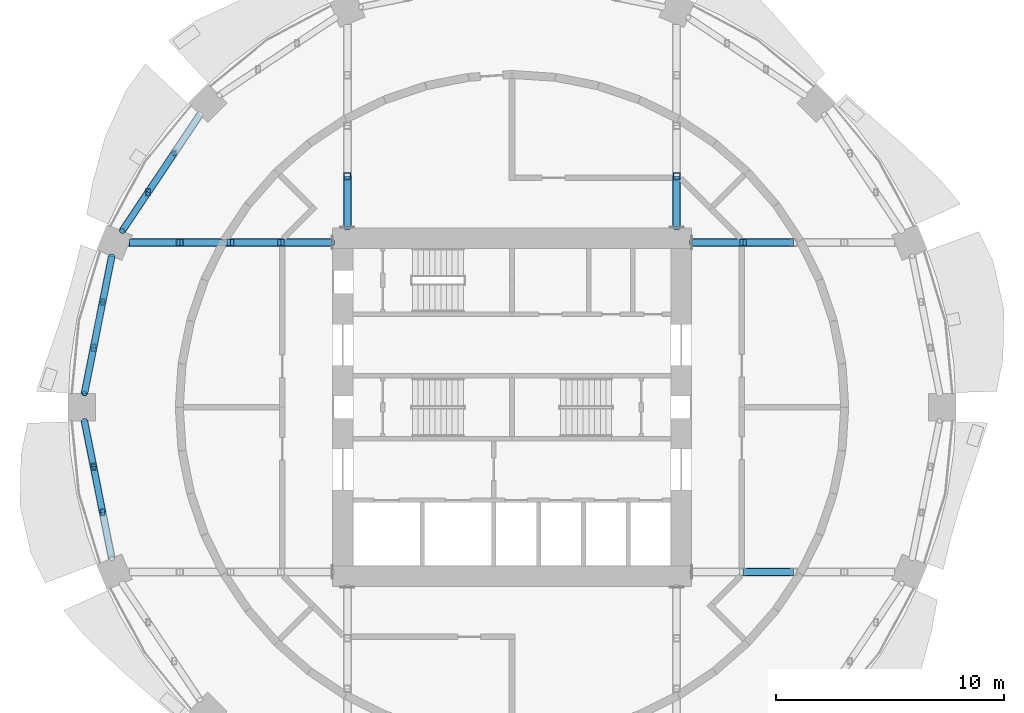
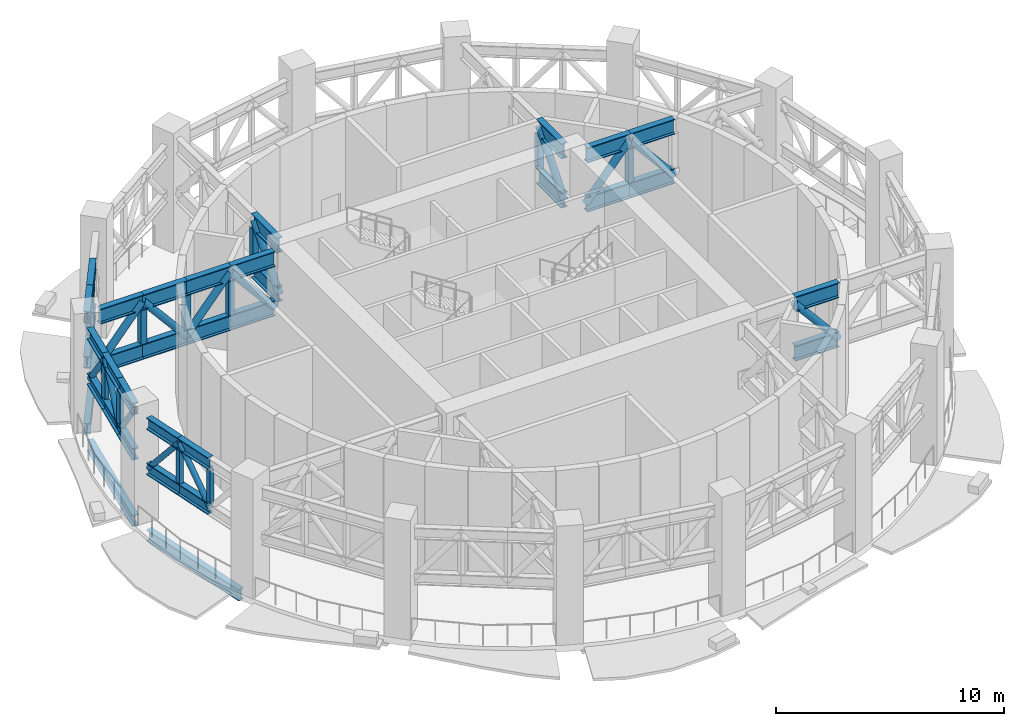
# One storey, part 3 of 14: 59 members, 3 beams.
"""IFC4 building model written with IfcOpenShell, lengths in metres."""

from ifc_helpers import new_model, si_unit, direction, frame, origin, origin_2d, place, context, subcontext, project, spatial, hollow_rectangle, hollow_circle, i_section, extrude, material, material_profile, profile_set, type_object, element, save


model = new_model("IFC4")

# Units and contexts
model_context = context("Model", 3, precision=1e-05, world=origin(), true_north=direction((0.0, 1.0)))
body_context = subcontext(model_context, "Body", "Model", "MODEL_VIEW")
ifc_project = project(units=[si_unit("LENGTHUNIT", "METRE"), si_unit("AREAUNIT", "SQUARE_METRE"), si_unit("VOLUMEUNIT", "CUBIC_METRE"), si_unit("PLANEANGLEUNIT", "RADIAN"), si_unit("MASSUNIT", "GRAM", prefix="KILO")], contexts=[model_context])

# Site, building, storey
site_placement = place(None, origin())
site = spatial("IfcSite", under=ifc_project, at=site_placement, CompositionType="ELEMENT")
building_placement = place(site_placement, origin())
building = spatial("IfcBuilding", under=site, at=building_placement, Name="Polderwave Tower", CompositionType="ELEMENT")
storey_placement = place(building_placement, frame((0.0, 0.0, 66.35009765625)))
storey = spatial("IfcBuildingStorey", under=building, at=storey_placement, Name="L17", CompositionType="ELEMENT", Elevation=66.35009765625)

# Members
ifc_material_1 = material(Name="Steel S460", Category="steel")
ifc_material_profile_1 = material_profile(ifc_material_1, i_section(OverallWidth=0.304931640625, OverallDepth=0.6201171875, WebThickness=0.02099609375, FlangeThickness=0.0400390625, at=origin_2d()), Name="HE 600 M")
ifc_profile_set_1 = profile_set([ifc_material_profile_1], Name="Steel S460")
member_type_1 = type_object("IfcMemberType", Name="BELT CHORD HE 600 M", PredefinedType="CHORD", material=ifc_profile_set_1)
for number, where, z_axis, x_axis, name in (
    (1, (-14.82763671875, 11.138916015625, 5.33984375), (-0.555580303473, -0.831462883352, 0.0), (0.831462883352, -0.555580303473, 0.0), "ST-BT-L17-06-TC2"),
    (2, (-14.82763671875, 11.138916015625, 2.909912109375), (-0.555580303473, -0.831462883352, 0.0), (0.831462883352, -0.555580303473, 0.0), "ST-BT-L17-06-BC2"),
    (3, (-15.96533203125, 9.436279296875, 5.33984375), (-0.555580303473, -0.831462883352, 0.0), (0.831462883352, -0.555580303473, 0.0), "ST-BT-L17-06-TC3"),
    (4, (-15.96533203125, 9.436279296875, 2.909912109375), (-0.555580303473, -0.831462883352, 0.0), (0.831462883352, -0.555580303473, 0.0), "ST-BT-L17-06-BC3"),
):
    element("IfcMember", number, at=place(storey_placement, frame(where, z_axis=z_axis, x_axis=x_axis)), inside=storey, type_object=member_type_1, Name=name, PredefinedType="CHORD", context=body_context, shape_type="SweptSolid", body=[
        extrude(i_section(OverallWidth=0.304931640625, OverallDepth=0.6201171875, WebThickness=0.02099609375, FlangeThickness=0.0400390625, at=origin_2d()), origin(), (0.0, 0.0, 1.0), 2.0478515625),
    ])
for number, where, z_axis, x_axis, name in (
    (5, (-17.562255859375, 6.625, 5.33984375), (-0.195061289308, -0.980791054921, 0.0), (0.980791054921, -0.195061289308, 0.0), "ST-BT-L17-07-TC1"),
    (6, (-17.562255859375, 6.625, 2.909912109375), (-0.195061289308, -0.980791054921, 0.0), (0.980791054921, -0.195061289308, 0.0), "ST-BT-L17-07-BC1"),
    (7, (-17.961669921875, 4.61669921875, 5.33984375), (-0.195061289308, -0.980791054921, 0.0), (0.980791054921, -0.195061289308, 0.0), "ST-BT-L17-07-TC2"),
    (8, (-17.961669921875, 4.61669921875, 2.909912109375), (-0.195061289308, -0.980791054921, 0.0), (0.980791054921, -0.195061289308, 0.0), "ST-BT-L17-07-BC2"),
    (9, (-18.361083984375, 2.6083984375, 5.33984375), (-0.195175979329, -0.980768238216, 0.0), (0.980768238216, -0.195175979329, 0.0), "ST-BT-L17-07-TC3"),
    (10, (-18.361083984375, 2.6083984375, 2.909912109375), (-0.195175979329, -0.980768238216, 0.0), (0.980768238216, -0.195175979329, 0.0), "ST-BT-L17-07-BC3"),
    (11, (-18.7607421875, -0.60009765625, 5.33984375), (0.195175979329, -0.980768238216, 0.0), (0.980768238216, 0.195175979329, 0.0), "ST-BT-L17-08-TC1"),
    (12, (-18.7607421875, -0.60009765625, 2.909912109375), (0.195175979329, -0.980768238216, 0.0), (0.980768238216, 0.195175979329, 0.0), "ST-BT-L17-08-BC1"),
    (13, (-18.361083984375, -2.6083984375, 5.33984375), (0.195061289308, -0.980791054921, 0.0), (0.980791054921, 0.195061289308, 0.0), "ST-BT-L17-08-TC2"),
    (14, (-18.361083984375, -2.6083984375, 2.909912109375), (0.195061289308, -0.980791054921, 0.0), (0.980791054921, 0.195061289308, 0.0), "ST-BT-L17-08-BC2"),
):
    element("IfcMember", number, at=place(storey_placement, frame(where, z_axis=z_axis, x_axis=x_axis)), inside=storey, type_object=member_type_1, Name=name, PredefinedType="CHORD", context=body_context, shape_type="SweptSolid", body=[
        extrude(i_section(OverallWidth=0.304931640625, OverallDepth=0.6201171875, WebThickness=0.02099609375, FlangeThickness=0.0400390625, at=origin_2d()), origin(), (0.0, 0.0, 1.0), 2.047607421875),
    ])
ifc_material_profile_2 = material_profile(ifc_material_1, hollow_circle(Radius=0.136474609375, WallThickness=0.012451171875, at=origin_2d()), Name="CHS 273x12.5")
ifc_profile_set_2 = profile_set([ifc_material_profile_2], Name="Steel S460")
member_type_2 = type_object("IfcMemberType", Name="BELT DIAGONAL CHS 273x12.5", PredefinedType="BRACE", material=ifc_profile_set_2)
for number, where, z_axis, x_axis, name in (
    (15, (-14.82763671875, 11.138916015625, 5.33984375), (-0.358022768665, -0.535804890273, -0.764678243889), (0.831462883352, -0.555580303473, 0.0), "ST-BT-L17-06-D2"),
    (16, (-15.96533203125, 9.436279296875, 2.909912109375), (-0.358022768665, -0.535804890273, 0.764678243889), (0.831462883352, -0.555580303473, 0.0), "ST-BT-L17-06-D3"),
    (17, (-17.562255859375, 6.625, 2.909912109375), (-0.125695342598, -0.632010934113, 0.764697888065), (0.980791054921, -0.195061289308, 0.0), "ST-BT-L17-07-D1"),
    (18, (-17.961669921875, 4.61669921875, 5.33984375), (-0.125695342598, -0.632010934113, -0.764697888065), (0.980791054921, -0.195061289308, 0.0), "ST-BT-L17-07-D2"),
    (19, (-18.361083984375, 2.6083984375, 2.909912109375), (-0.12577095852, -0.632004828826, 0.764690501009), (0.980768238216, -0.195175979329, 0.0), "ST-BT-L17-07-D3"),
    (20, (-18.7607421875, -0.60009765625, 2.909912109375), (0.12577095852, -0.632004828826, 0.764690501009), (0.980768238216, 0.195175979329, 0.0), "ST-BT-L17-08-D1"),
    (21, (-18.361083984375, -2.6083984375, 5.33984375), (0.125695342598, -0.632010934113, -0.764697888065), (0.980791054921, 0.195061289308, 0.0), "ST-BT-L17-08-D2"),
):
    element("IfcMember", number, at=place(storey_placement, frame(where, z_axis=z_axis, x_axis=x_axis)), inside=storey, type_object=member_type_2, Name=name, PredefinedType="BRACE", context=body_context, shape_type="SweptSolid", body=[
        extrude(hollow_circle(Radius=0.136474609375, WallThickness=0.012451171875, at=origin_2d()), origin(), (0.0, 0.0, 1.0), 3.177734375),
    ])
ifc_material_profile_3 = material_profile(ifc_material_1, hollow_rectangle(XDim=0.199951171875, YDim=0.300048828125, WallThickness=0.012451171875, at=origin_2d()), Name="RHS 300x200x12.5")
ifc_profile_set_3 = profile_set([ifc_material_profile_3], Name="Steel S460")
member_type_3 = type_object("IfcMemberType", Name="BELT POST RHS 300x200x12.5", PredefinedType="POST", material=ifc_profile_set_3)
for number, where, z_axis, x_axis, name in (
    (22, (-15.96533203125, 9.436279296875, 3.219970703125), (0.0, 0.0, 1.0), (1.0, 0.0, 0.0), "ST-BT-L17-06-P2"),
    (23, (-17.961669921875, 4.61669921875, 3.219970703125), (0.0, 0.0, 1.0), (1.0, 0.0, 0.0), "ST-BT-L17-07-P1"),
    (24, (-18.361083984375, 2.6083984375, 3.219970703125), (0.0, 0.0, 1.0), (1.0, 0.0, 0.0), "ST-BT-L17-07-P2"),
    (25, (-18.361083984375, -2.6083984375, 3.219970703125), (0.0, 0.0, 1.0), (1.0, 0.0, 0.0), "ST-BT-L17-08-P1"),
    (26, (-17.961669921875, -4.61669921875, 3.219970703125), (0.0, 0.0, 1.0), (1.0, 0.0, 0.0), "ST-BT-L17-08-P2"),
):
    element("IfcMember", number, at=place(storey_placement, frame(where, z_axis=z_axis, x_axis=x_axis)), inside=storey, type_object=member_type_3, Name=name, PredefinedType="POST", context=body_context, shape_type="SweptSolid", body=[
        extrude(hollow_rectangle(XDim=0.199951171875, YDim=0.300048828125, WallThickness=0.012451171875, at=origin_2d()), origin(), (0.0, 0.0, 1.0), 1.809814453125),
    ])
ifc_material_profile_4 = material_profile(ifc_material_1, i_section(OverallWidth=0.302978515625, OverallDepth=0.81396484375, WebThickness=0.02099609375, FlangeThickness=0.0400390625, at=origin_2d()), Name="HE 800 M")
ifc_profile_set_4 = profile_set([ifc_material_profile_4], Name="Steel S460")
member_type_4 = type_object("IfcMemberType", Name="OUTRIGGER CHORD HE 800 M", PredefinedType="CHORD", material=ifc_profile_set_4)
for number, where, z_axis, x_axis, name in (
    (27, (7.9140625, 7.22509765625, 5.642822265625), (1.0, 0.0, 0.0), (0.0, 1.0, 0.0), "ST-OR-L17-01-TC1"),
    (28, (7.9140625, 7.22509765625, 3.0068359375), (1.0, 0.0, 0.0), (0.0, 1.0, 0.0), "ST-OR-L17-01-BC1"),
):
    element("IfcMember", number, at=place(storey_placement, frame(where, z_axis=z_axis, x_axis=x_axis)), inside=storey, type_object=member_type_4, Name=name, PredefinedType="CHORD", context=body_context, shape_type="SweptSolid", body=[
        extrude(i_section(OverallWidth=0.302978515625, OverallDepth=0.81396484375, WebThickness=0.02099609375, FlangeThickness=0.0400390625, at=origin_2d()), origin(), (0.0, 0.0, 1.0), 2.2197265625),
    ])
for number, where, z_axis, x_axis, name in (
    (29, (10.1337890625, 7.22509765625, 5.642822265625), (1.0, 0.0, 0.0), (0.0, 1.0, 0.0), "ST-OR-L17-01-TC2"),
    (30, (10.1337890625, 7.22509765625, 3.0068359375), (1.0, 0.0, 0.0), (0.0, 1.0, 0.0), "ST-OR-L17-01-BC2"),
):
    element("IfcMember", number, at=place(storey_placement, frame(where, z_axis=z_axis, x_axis=x_axis)), inside=storey, type_object=member_type_4, Name=name, PredefinedType="CHORD", context=body_context, shape_type="SweptSolid", body=[
        extrude(i_section(OverallWidth=0.302978515625, OverallDepth=0.81396484375, WebThickness=0.02099609375, FlangeThickness=0.0400390625, at=origin_2d()), origin(), (0.0, 0.0, 1.0), 2.219970703125),
    ])
for number, where, z_axis, x_axis, name in (
    (31, (7.22509765625, 7.9140625, 5.642822265625), (0.0, 1.0, 0.0), (-1.0, 0.0, 0.0), "ST-OR-L17-03-TC1"),
    (32, (7.22509765625, 7.9140625, 3.0068359375), (0.0, 1.0, 0.0), (-1.0, 0.0, 0.0), "ST-OR-L17-03-BC1"),
    (33, (-7.22509765625, 7.9140625, 5.642822265625), (0.0, 1.0, 0.0), (-1.0, 0.0, 0.0), "ST-OR-L17-05-TC1"),
    (34, (-7.22509765625, 7.9140625, 3.0068359375), (0.0, 1.0, 0.0), (-1.0, 0.0, 0.0), "ST-OR-L17-05-BC1"),
    (35, (-7.9140625, 7.22509765625, 5.642822265625), (-1.0, 0.0, 0.0), (0.0, -1.0, 0.0), "ST-OR-L17-07-TC1"),
    (36, (-7.9140625, 7.22509765625, 3.0068359375), (-1.0, 0.0, 0.0), (0.0, -1.0, 0.0), "ST-OR-L17-07-BC1"),
):
    element("IfcMember", number, at=place(storey_placement, frame(where, z_axis=z_axis, x_axis=x_axis)), inside=storey, type_object=member_type_4, Name=name, PredefinedType="CHORD", context=body_context, shape_type="SweptSolid", body=[
        extrude(i_section(OverallWidth=0.302978515625, OverallDepth=0.81396484375, WebThickness=0.02099609375, FlangeThickness=0.0400390625, at=origin_2d()), origin(), (0.0, 0.0, 1.0), 2.2197265625),
    ])
for number, where, z_axis, x_axis, name in (
    (37, (-10.1337890625, 7.22509765625, 5.642822265625), (-1.0, 0.0, 0.0), (0.0, -1.0, 0.0), "ST-OR-L17-07-TC2"),
    (38, (-10.1337890625, 7.22509765625, 3.0068359375), (-1.0, 0.0, 0.0), (0.0, -1.0, 0.0), "ST-OR-L17-07-BC2"),
):
    element("IfcMember", number, at=place(storey_placement, frame(where, z_axis=z_axis, x_axis=x_axis)), inside=storey, type_object=member_type_4, Name=name, PredefinedType="CHORD", context=body_context, shape_type="SweptSolid", body=[
        extrude(i_section(OverallWidth=0.302978515625, OverallDepth=0.81396484375, WebThickness=0.02099609375, FlangeThickness=0.0400390625, at=origin_2d()), origin(), (0.0, 0.0, 1.0), 2.219970703125),
    ])
for number, where, z_axis, x_axis, name in (
    (39, (-12.353759765625, 7.22509765625, 5.642822265625), (-1.0, 0.0, 0.0), (0.0, -1.0, 0.0), "ST-OR-L17-07-TC3"),
    (40, (-12.353759765625, 7.22509765625, 3.0068359375), (-1.0, 0.0, 0.0), (0.0, -1.0, 0.0), "ST-OR-L17-07-BC3"),
):
    element("IfcMember", number, at=place(storey_placement, frame(where, z_axis=z_axis, x_axis=x_axis)), inside=storey, type_object=member_type_4, Name=name, PredefinedType="CHORD", context=body_context, shape_type="SweptSolid", body=[
        extrude(i_section(OverallWidth=0.302978515625, OverallDepth=0.81396484375, WebThickness=0.02099609375, FlangeThickness=0.0400390625, at=origin_2d()), origin(), (0.0, 0.0, 1.0), 2.2197265625),
    ])
for number, where, z_axis, x_axis, name in (
    (41, (-14.573486328125, 7.22509765625, 5.642822265625), (-1.0, 0.0, 0.0), (0.0, -1.0, 0.0), "ST-OR-L17-07-TC4"),
    (42, (-14.573486328125, 7.22509765625, 3.0068359375), (-1.0, 0.0, 0.0), (0.0, -1.0, 0.0), "ST-OR-L17-07-BC4"),
    (43, (10.1337890625, -7.22509765625, 5.642822265625), (1.0, 0.0, 0.0), (0.0, 1.0, 0.0), "ST-OR-L17-15-TC2"),
    (44, (10.1337890625, -7.22509765625, 3.0068359375), (1.0, 0.0, 0.0), (0.0, 1.0, 0.0), "ST-OR-L17-15-BC2"),
):
    element("IfcMember", number, at=place(storey_placement, frame(where, z_axis=z_axis, x_axis=x_axis)), inside=storey, type_object=member_type_4, Name=name, PredefinedType="CHORD", context=body_context, shape_type="SweptSolid", body=[
        extrude(i_section(OverallWidth=0.302978515625, OverallDepth=0.81396484375, WebThickness=0.02099609375, FlangeThickness=0.0400390625, at=origin_2d()), origin(), (0.0, 0.0, 1.0), 2.219970703125),
    ])
ifc_material_profile_5 = material_profile(ifc_material_1, hollow_circle(Radius=0.177734375, WallThickness=0.012451171875, at=origin_2d()), Name="CHS 355.6x12.5")
ifc_profile_set_5 = profile_set([ifc_material_profile_5], Name="Steel S460")
member_type_5 = type_object("IfcMemberType", Name="OUTRIGGER DIAGONAL CHS 355.6x12.5", PredefinedType="BRACE", material=ifc_profile_set_5)
member_1_placement = place(storey_placement, frame((7.9140625, 7.22509765625, 3.0068359375), z_axis=(0.644127019232, 0.0, 0.764918546706), x_axis=(0.0, 1.0, 0.0)))
element("IfcMember", 45, at=member_1_placement, inside=storey, type_object=member_type_5, Name="ST-OR-L17-01-D1", PredefinedType="BRACE", context=body_context, shape_type="SweptSolid", body=[
    extrude(hollow_circle(Radius=0.177734375, WallThickness=0.012451171875, at=origin_2d()), origin(), (0.0, 0.0, 1.0), 3.446044921875),
])
member_2_placement = place(storey_placement, frame((10.1337890625, 7.22509765625, 5.642822265625), z_axis=(0.644168468107, 0.0, -0.764883641279), x_axis=(0.0, 1.0, 0.0)))
element("IfcMember", 46, at=member_2_placement, inside=storey, type_object=member_type_5, Name="ST-OR-L17-01-D2", PredefinedType="BRACE", context=body_context, shape_type="SweptSolid", body=[
    extrude(hollow_circle(Radius=0.177734375, WallThickness=0.012451171875, at=origin_2d()), origin(), (0.0, 0.0, 1.0), 3.4462890625),
])
for number, where, z_axis, x_axis, name in (
    (47, (7.22509765625, 7.9140625, 3.0068359375), (0.0, 0.644127019232, 0.764918546706), (-1.0, 0.0, 0.0), "ST-OR-L17-03-D1"),
    (48, (-7.22509765625, 7.9140625, 3.0068359375), (0.0, 0.644127019232, 0.764918546706), (-1.0, 0.0, 0.0), "ST-OR-L17-05-D1"),
    (49, (-7.9140625, 7.22509765625, 3.0068359375), (-0.644127019232, 0.0, 0.764918546706), (0.0, -1.0, 0.0), "ST-OR-L17-07-D1"),
):
    element("IfcMember", number, at=place(storey_placement, frame(where, z_axis=z_axis, x_axis=x_axis)), inside=storey, type_object=member_type_5, Name=name, PredefinedType="BRACE", context=body_context, shape_type="SweptSolid", body=[
        extrude(hollow_circle(Radius=0.177734375, WallThickness=0.012451171875, at=origin_2d()), origin(), (0.0, 0.0, 1.0), 3.446044921875),
    ])
member_3_placement = place(storey_placement, frame((-10.1337890625, 7.22509765625, 5.642822265625), z_axis=(-0.644168468107, 0.0, -0.764883641279), x_axis=(0.0, -1.0, 0.0)))
element("IfcMember", 50, at=member_3_placement, inside=storey, type_object=member_type_5, Name="ST-OR-L17-07-D2", PredefinedType="BRACE", context=body_context, shape_type="SweptSolid", body=[
    extrude(hollow_circle(Radius=0.177734375, WallThickness=0.012451171875, at=origin_2d()), origin(), (0.0, 0.0, 1.0), 3.4462890625),
])
member_4_placement = place(storey_placement, frame((-12.353759765625, 7.22509765625, 3.0068359375), z_axis=(-0.644127019232, 0.0, 0.764918546706), x_axis=(0.0, -1.0, 0.0)))
element("IfcMember", 51, at=member_4_placement, inside=storey, type_object=member_type_5, Name="ST-OR-L17-07-D3", PredefinedType="BRACE", context=body_context, shape_type="SweptSolid", body=[
    extrude(hollow_circle(Radius=0.177734375, WallThickness=0.012451171875, at=origin_2d()), origin(), (0.0, 0.0, 1.0), 3.446044921875),
])
for number, where, z_axis, x_axis, name in (
    (52, (-14.573486328125, 7.22509765625, 5.642822265625), (-0.644168468107, 0.0, -0.764883641279), (0.0, -1.0, 0.0), "ST-OR-L17-07-D4"),
    (53, (10.1337890625, -7.22509765625, 5.642822265625), (0.644168468107, 0.0, -0.764883641279), (0.0, 1.0, 0.0), "ST-OR-L17-15-D2"),
):
    element("IfcMember", number, at=place(storey_placement, frame(where, z_axis=z_axis, x_axis=x_axis)), inside=storey, type_object=member_type_5, Name=name, PredefinedType="BRACE", context=body_context, shape_type="SweptSolid", body=[
        extrude(hollow_circle(Radius=0.177734375, WallThickness=0.012451171875, at=origin_2d()), origin(), (0.0, 0.0, 1.0), 3.4462890625),
    ])
ifc_material_profile_6 = material_profile(ifc_material_1, hollow_rectangle(XDim=0.300048828125, YDim=0.300048828125, WallThickness=0.012451171875, at=origin_2d()), Name="SHS 300x300x12.5")
ifc_profile_set_6 = profile_set([ifc_material_profile_6], Name="Steel S460")
member_type_6 = type_object("IfcMemberType", Name="OUTRIGGER POST SHS 300x300x12.5", PredefinedType="POST", material=ifc_profile_set_6)
for number, where, z_axis, x_axis, name in (
    (54, (10.1337890625, 7.22509765625, 3.413818359375), (0.0, 0.0, 1.0), (1.0, 0.0, 0.0), "ST-OR-L17-01-P1"),
    (55, (7.22509765625, 10.1337890625, 3.413818359375), (0.0, 0.0, 1.0), (1.0, 0.0, 0.0), "ST-OR-L17-03-P1"),
    (56, (-7.22509765625, 10.1337890625, 3.413818359375), (0.0, 0.0, 1.0), (1.0, 0.0, 0.0), "ST-OR-L17-05-P1"),
    (57, (-10.1337890625, 7.22509765625, 3.413818359375), (0.0, 0.0, 1.0), (1.0, 0.0, 0.0), "ST-OR-L17-07-P1"),
    (58, (-12.353759765625, 7.22509765625, 3.413818359375), (0.0, 0.0, 1.0), (1.0, 0.0, 0.0), "ST-OR-L17-07-P2"),
    (59, (-14.573486328125, 7.22509765625, 3.413818359375), (0.0, 0.0, 1.0), (1.0, 0.0, 0.0), "ST-OR-L17-07-P3"),
):
    element("IfcMember", number, at=place(storey_placement, frame(where, z_axis=z_axis, x_axis=x_axis)), inside=storey, type_object=member_type_6, Name=name, PredefinedType="POST", context=body_context, shape_type="SweptSolid", body=[
        extrude(hollow_rectangle(XDim=0.300048828125, YDim=0.300048828125, WallThickness=0.012451171875, at=origin_2d()), origin(), (0.0, 0.0, 1.0), 1.822021484375),
    ])

# Beams
ifc_material_2 = material(Name="Steel S355", Category="steel")
ifc_material_profile_7 = material_profile(ifc_material_2, i_section(OverallWidth=0.300048828125, OverallDepth=0.60009765625, WebThickness=0.015380859375, FlangeThickness=0.030029296875, at=origin_2d()), Name="HE 600 B")
ifc_profile_set_7 = profile_set([ifc_material_profile_7], Name="Steel S355")
beam_type = type_object("IfcBeamType", Name="RING BEAM HE 600 B", PredefinedType="BEAM", material=ifc_profile_set_7)
beam_placement = place(storey_placement, frame((-13.68994140625, 12.841552734375, -0.650146484375), z_axis=(-0.555580303473, -0.831462883352, 0.0), x_axis=(0.831462883352, -0.555580303473, 0.0)))
element("IfcBeam", 60, at=beam_placement, inside=storey, type_object=beam_type, Name="ST-RB-L17-06", PredefinedType="BEAM", context=body_context, shape_type="SweptSolid", body=[
    extrude(i_section(OverallWidth=0.300048828125, OverallDepth=0.60009765625, WebThickness=0.015380859375, FlangeThickness=0.030029296875, at=origin_2d()), origin(), (0.0, 0.0, 1.0), 6.143310546875),
])
for number, where, z_axis, x_axis, name in (
    (61, (-17.562255859375, 6.625, -0.650146484375), (-0.195099520205, -0.980783450725, 0.0), (0.980783450725, -0.195099520205, 0.0), "ST-RB-L17-07"),
    (62, (-18.7607421875, -0.60009765625, -0.650146484375), (0.195099520205, -0.980783450725, 0.0), (0.980783450725, 0.195099520205, 0.0), "ST-RB-L17-08"),
):
    element("IfcBeam", number, at=place(storey_placement, frame(where, z_axis=z_axis, x_axis=x_axis)), inside=storey, type_object=beam_type, Name=name, PredefinedType="BEAM", context=body_context, shape_type="SweptSolid", body=[
        extrude(i_section(OverallWidth=0.300048828125, OverallDepth=0.60009765625, WebThickness=0.015380859375, FlangeThickness=0.030029296875, at=origin_2d()), origin(), (0.0, 0.0, 1.0), 6.14306640625),
    ])

save(model, "model.ifc")
